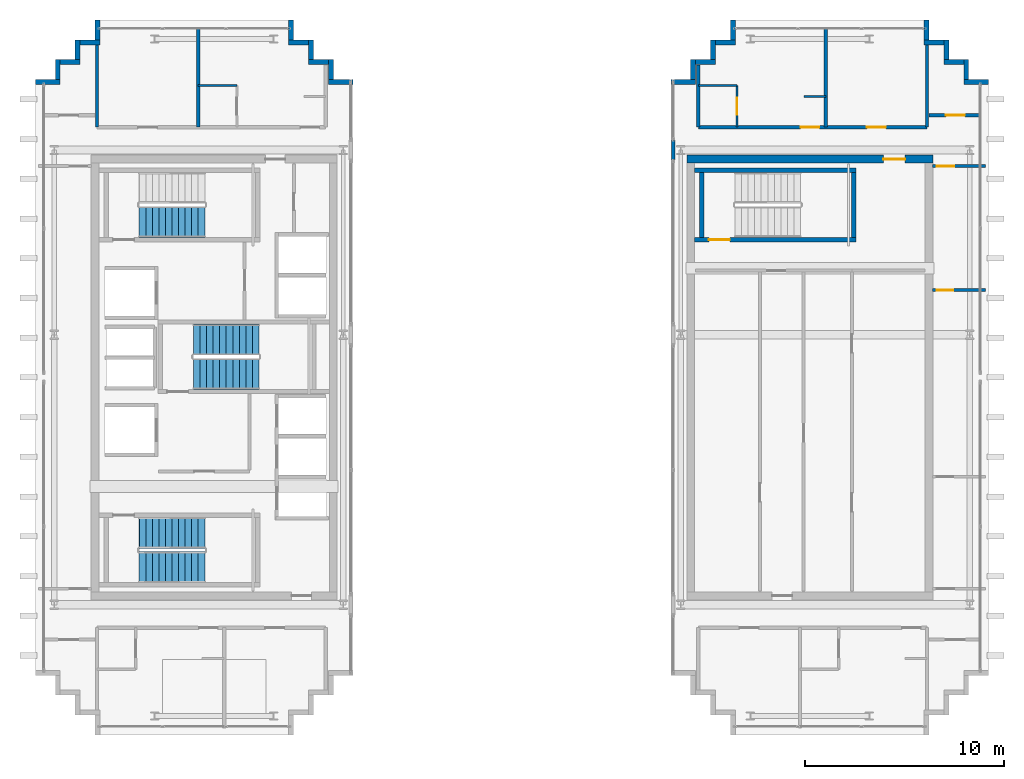
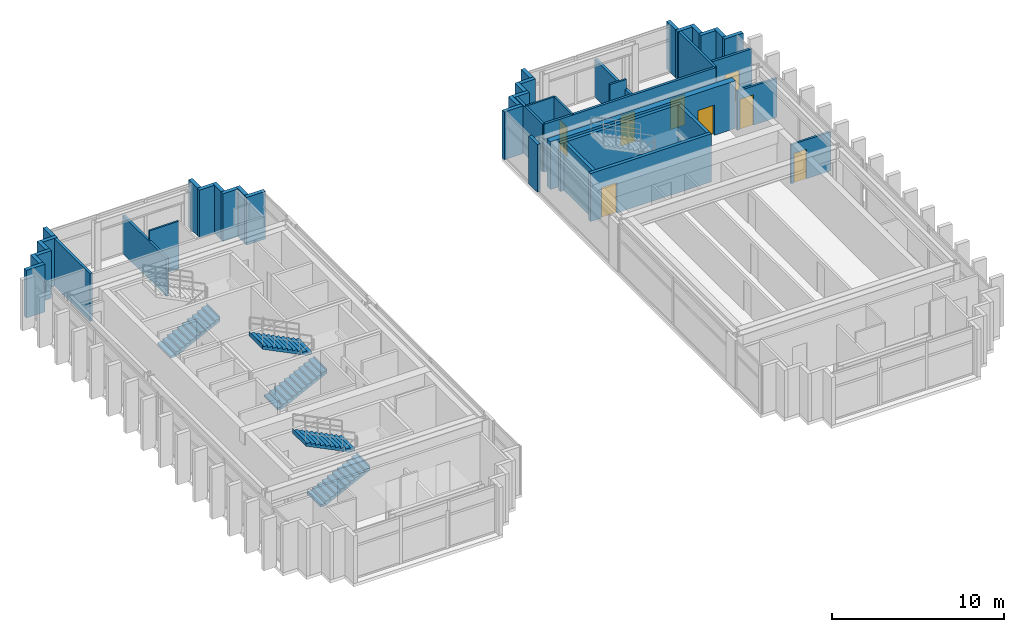
# One storey, part 22 of 25: 43 walls, 8 doors, 5 stair flights, 8 openings, 3 elements without a shape of their own.
"""IFC4 building model written with IfcOpenShell, lengths in metres."""

from ifc_helpers import new_model, si_unit, direction, frame, frame_2d, origin, place, context, subcontext, project, spatial, polyline, rectangle, outline, extrude, source, transform, mapped, material, layer, layer_set, type_object, element, fill, aggregate, save


model = new_model("IFC4")

# Units and contexts
model_context = context("Model", 3, precision=1e-05, world=origin(), true_north=direction((0.0, 1.0)))
body_context = subcontext(model_context, "Body", "Model", "MODEL_VIEW")
ifc_project = project(units=[si_unit("LENGTHUNIT", "METRE"), si_unit("AREAUNIT", "SQUARE_METRE"), si_unit("VOLUMEUNIT", "CUBIC_METRE"), si_unit("PLANEANGLEUNIT", "RADIAN"), si_unit("MASSUNIT", "GRAM", prefix="KILO")], contexts=[model_context])

# Site, building, storey
site_placement = place(None, origin())
site = spatial("IfcSite", under=ifc_project, at=site_placement, CompositionType="ELEMENT")
building_placement = place(site_placement, origin())
building = spatial("IfcBuilding", under=site, at=building_placement, Name="Ocotamira Hotel", CompositionType="ELEMENT")
storey_placement = place(building_placement, frame((0.0, 0.0, 258.0)))
storey = spatial("IfcBuildingStorey", under=building, at=storey_placement, Name="L65", CompositionType="ELEMENT", Elevation=258.0)

# Wall, opening, door
ifc_material_1 = material(Name="Concrete C50/60", Category="concrete")
ifc_layer_1 = layer(ifc_material_1, 0.39990234375)
ifc_layer_set_1 = layer_set([ifc_layer_1], Name="Concrete C50/60")
wall_type_1 = type_object("IfcWallType", Name="WL-CORE-400", PredefinedType="SHEAR", material=ifc_layer_set_1)
wall_1_placement = place(storey_placement, frame((40.800048828125, 37.0, 0.0), z_axis=(0.0, 0.0, 1.0), x_axis=(1.0, 0.0, 0.0)))
wall_1 = element("IfcWall", 1, at=wall_1_placement, inside=storey, type_object=wall_type_1, Name="L65 Shear Core Wall ECORE-N", PredefinedType="SHEAR", context=body_context, shape_type="SweptSolid", body=[
    extrude(rectangle(XDim=12.39990234375, YDim=0.39990234375, at=frame_2d((6.199951171875, 0.0))), origin(), (0.0, 0.0, 1.0), 3.3798828125),
])
opening_1_placement = place(wall_1_placement, frame((9.89990234375, 0.0, 0.0)))
opening_1 = element("IfcOpeningElement", 2, at=opening_1_placement, cuts=wall_1, Name="Opening D-FR1", PredefinedType="OPENING", context=body_context, shape_type="SweptSolid", body=[
    extrude(rectangle(XDim=1.10009765625, YDim=2.14990234375, at=frame_2d((0.550048828125, 1.074951171875))), frame((0.0, 0.2099609375, 0.0), z_axis=(0.0, -1.0, 0.0), x_axis=(1.0, 0.0, 0.0)), (0.0, 0.0, 1.0), 0.419921875),
])
ifc_material_2 = material(Name="Fire-rated acoustic timber-veneer door", Category="wood")
door_type_1 = type_object("IfcDoorType", Name="DR-FIRE-1100", OperationType="NOTDEFINED", PredefinedType="DOOR", material=ifc_material_2)
shared_shape_1 = source(origin(), body_context, "Body", "SweptSolid", [
    extrude(rectangle(XDim=1.10009765625, YDim=2.14990234375, at=frame_2d((0.550048828125, 1.074951171875))), frame((0.0, 0.02490234375, 0.0), z_axis=(0.0, -1.0, 0.0), x_axis=(1.0, 0.0, 0.0)), (0.0, 0.0, 1.0), 0.050048828125),
])
door_1_placement = place(opening_1_placement, origin())
door_1 = element("IfcDoor", 3, at=door_1_placement, inside=storey, type_object=door_type_1, Name="L65 Door ID-L65-ELOB-N-D [ID-L65-ELOB-N-D]", OperationType="SINGLE_SWING_LEFT", OverallHeight=2.14990234375, OverallWidth=1.10009765625, PredefinedType="DOOR", context=body_context, shape_type="MappedRepresentation", body=[
    mapped(shared_shape_1, transform((0.0, 0.0, 0.0), scale=1.0)),
])
fill(opening_1, door_1)

# Walls
ifc_material_3 = material(Name="Precast concrete C45/55", Category="concrete")
ifc_layer_2 = layer(ifc_material_3, 0.25)
ifc_layer_set_2 = layer_set([ifc_layer_2], Name="Precast concrete C45/55")
wall_type_2 = type_object("IfcWallType", Name="WL-EXT-SER-250", PredefinedType="SOLIDWALL", material=ifc_layer_set_2)
wall_2_placement = place(storey_placement, frame((24.0, 40.875, 0.0), z_axis=(0.0, 0.0, 1.0), x_axis=(-1.0, 0.0, 0.0)))
element("IfcWall", 4, at=wall_2_placement, inside=storey, type_object=wall_type_2, Name="L65 -W Serrated Corner Wall 07", PredefinedType="SOLIDWALL", context=body_context, shape_type="SweptSolid", body=[
    extrude(rectangle(XDim=1.25, YDim=0.25, at=frame_2d((0.625, 0.0))), origin(), (0.0, 0.0, 1.0), 3.3798828125),
])
for number, where, z_axis, x_axis, name in (
    (5, (22.875, 41.0, 0.0), (0.0, 0.0, 1.0), (0.0, 1.0, 0.0), "L65 -W Serrated Corner Wall 08"),
    (6, (22.75, 41.875, 0.0), (0.0, 0.0, 1.0), (-1.0, 0.0, 0.0), "L65 -W Serrated Corner Wall 09"),
    (7, (21.875, 42.0, 0.0), (0.0, 0.0, 1.0), (0.0, 1.0, 0.0), "L65 -W Serrated Corner Wall 10"),
    (8, (21.75, 42.875, 0.0), (0.0, 0.0, 1.0), (-1.0, 0.0, 0.0), "L65 -W Serrated Corner Wall 11"),
    (9, (20.875, 43.0, 0.0), (0.0, 0.0, 1.0), (0.0, 1.0, 0.0), "L65 -W Serrated Corner Wall 12"),
    (10, (11.125, 44.0, 0.0), (0.0, 0.0, 1.0), (0.0, -1.0, 0.0), "L65 -W Serrated Corner Wall 13"),
    (11, (11.25, 42.875, 0.0), (0.0, 0.0, 1.0), (-1.0, 0.0, 0.0), "L65 -W Serrated Corner Wall 14"),
    (12, (10.125, 43.0, 0.0), (0.0, 0.0, 1.0), (0.0, -1.0, 0.0), "L65 -W Serrated Corner Wall 15"),
    (13, (10.25, 41.875, 0.0), (0.0, 0.0, 1.0), (-1.0, 0.0, 0.0), "L65 -W Serrated Corner Wall 16"),
    (14, (9.125, 42.0, 0.0), (0.0, 0.0, 1.0), (0.0, -1.0, 0.0), "L65 -W Serrated Corner Wall 17"),
):
    element("IfcWall", number, at=place(storey_placement, frame(where, z_axis=z_axis, x_axis=x_axis)), inside=storey, type_object=wall_type_2, Name=name, PredefinedType="SOLIDWALL", context=body_context, shape_type="SweptSolid", body=[
        extrude(rectangle(XDim=1.0, YDim=0.25, at=frame_2d((0.5, 0.0))), origin(), (0.0, 0.0, 1.0), 3.3798828125),
    ])
for number, where, z_axis, x_axis, name in (
    (15, (9.25, 40.875, 0.0), (0.0, 0.0, 1.0), (-1.0, 0.0, 0.0), "L65 -W Serrated Corner Wall 18"),
    (16, (56.0, 40.875, 0.0), (0.0, 0.0, 1.0), (-1.0, 0.0, 0.0), "L65 -E Serrated Corner Wall 07"),
):
    element("IfcWall", number, at=place(storey_placement, frame(where, z_axis=z_axis, x_axis=x_axis)), inside=storey, type_object=wall_type_2, Name=name, PredefinedType="SOLIDWALL", context=body_context, shape_type="SweptSolid", body=[
        extrude(rectangle(XDim=1.25, YDim=0.25, at=frame_2d((0.625, 0.0))), origin(), (0.0, 0.0, 1.0), 3.3798828125),
    ])
for number, where, z_axis, x_axis, name in (
    (17, (54.875, 41.0, 0.0), (0.0, 0.0, 1.0), (0.0, 1.0, 0.0), "L65 -E Serrated Corner Wall 08"),
    (18, (54.75, 41.875, 0.0), (0.0, 0.0, 1.0), (-1.0, 0.0, 0.0), "L65 -E Serrated Corner Wall 09"),
    (19, (53.875, 42.0, 0.0), (0.0, 0.0, 1.0), (0.0, 1.0, 0.0), "L65 -E Serrated Corner Wall 10"),
    (20, (53.75, 42.875, 0.0), (0.0, 0.0, 1.0), (-1.0, 0.0, 0.0), "L65 -E Serrated Corner Wall 11"),
    (21, (52.875, 43.0, 0.0), (0.0, 0.0, 1.0), (0.0, 1.0, 0.0), "L65 -E Serrated Corner Wall 12"),
    (22, (43.125, 44.0, 0.0), (0.0, 0.0, 1.0), (0.0, -1.0, 0.0), "L65 -E Serrated Corner Wall 13"),
    (23, (43.25, 42.875, 0.0), (0.0, 0.0, 1.0), (-1.0, 0.0, 0.0), "L65 -E Serrated Corner Wall 14"),
    (24, (42.125, 43.0, 0.0), (0.0, 0.0, 1.0), (0.0, -1.0, 0.0), "L65 -E Serrated Corner Wall 15"),
    (25, (42.25, 41.875, 0.0), (0.0, 0.0, 1.0), (-1.0, 0.0, 0.0), "L65 -E Serrated Corner Wall 16"),
    (26, (41.125, 42.0, 0.0), (0.0, 0.0, 1.0), (0.0, -1.0, 0.0), "L65 -E Serrated Corner Wall 17"),
):
    element("IfcWall", number, at=place(storey_placement, frame(where, z_axis=z_axis, x_axis=x_axis)), inside=storey, type_object=wall_type_2, Name=name, PredefinedType="SOLIDWALL", context=body_context, shape_type="SweptSolid", body=[
        extrude(rectangle(XDim=1.0, YDim=0.25, at=frame_2d((0.5, 0.0))), origin(), (0.0, 0.0, 1.0), 3.3798828125),
    ])
wall_3_placement = place(storey_placement, frame((41.25, 40.875, 0.0), z_axis=(0.0, 0.0, 1.0), x_axis=(-1.0, 0.0, 0.0)))
element("IfcWall", 27, at=wall_3_placement, inside=storey, type_object=wall_type_2, Name="L65 -E Serrated Corner Wall 18", PredefinedType="SOLIDWALL", context=body_context, shape_type="SweptSolid", body=[
    extrude(rectangle(XDim=1.25, YDim=0.25, at=frame_2d((0.625, 0.0))), origin(), (0.0, 0.0, 1.0), 3.3798828125),
])

# Wall, openings, doors
ifc_material_4 = material(Name="Acoustic double-layer fire gypsum board partition", Category="gypsum")
ifc_layer_3 = layer(ifc_material_4, 0.159912109375)
ifc_layer_set_3 = layer_set([ifc_layer_3], Name="Acoustic double-layer fire gypsum board partition")
wall_type_3 = type_object("IfcWallType", Name="WL-FIRE-160", PredefinedType="PARTITIONING", material=ifc_layer_set_3)
wall_4_placement = place(storey_placement, frame((41.3798828125, 38.60009765625, 0.0), z_axis=(0.0, 0.0, 1.0), x_axis=(1.0, 0.0, 0.0)))
wall_4 = element("IfcWall", 28, at=wall_4_placement, inside=storey, type_object=wall_type_3, Name="L65 Interior Wall PW-L65-SPE1N-CORRW", PredefinedType="PARTITIONING", context=body_context, shape_type="SweptSolid", body=[
    extrude(rectangle(XDim=11.52001953125, YDim=0.159912109375, at=frame_2d((5.760009765625, 0.0))), origin(), (0.0, 0.0, 1.0), 3.3798828125),
])
opening_2_placement = place(wall_4_placement, frame((5.159912109375, 0.0, 0.0)))
opening_2 = element("IfcOpeningElement", 29, at=opening_2_placement, cuts=wall_4, Name="Opening D-GR1", PredefinedType="OPENING", context=body_context, shape_type="SweptSolid", body=[
    extrude(rectangle(XDim=0.93994140625, YDim=2.14990234375, at=frame_2d((0.469970703125, 1.074951171875))), frame((0.0, 0.08984375, 0.0), z_axis=(0.0, -1.0, 0.0), x_axis=(1.0, 0.0, 0.0)), (0.0, 0.0, 1.0), 0.179931640625),
])
opening_3_placement = place(wall_4_placement, frame((8.489990234375, 0.0, 0.0)))
opening_3 = element("IfcOpeningElement", 30, at=opening_3_placement, cuts=wall_4, Name="Opening D-SV4", PredefinedType="OPENING", context=body_context, shape_type="SweptSolid", body=[
    extrude(rectangle(XDim=0.9599609375, YDim=2.14990234375, at=frame_2d((0.47998046875, 1.074951171875))), frame((0.0, 0.08984375, 0.0), z_axis=(0.0, -1.0, 0.0), x_axis=(1.0, 0.0, 0.0)), (0.0, 0.0, 1.0), 0.179931640625),
])
ifc_material_5 = material(Name="Fire-rated accessible walnut salon door", Category="wood")
door_type_2 = type_object("IfcDoorType", Name="DR-SERV-960", OperationType="NOTDEFINED", PredefinedType="DOOR", material=ifc_material_5)
shared_shape_2 = source(origin(), body_context, "Body", "SweptSolid", [
    extrude(rectangle(XDim=0.9599609375, YDim=2.14990234375, at=frame_2d((0.47998046875, 1.074951171875))), frame((0.0, 0.02490234375, 0.0), z_axis=(0.0, -1.0, 0.0), x_axis=(1.0, 0.0, 0.0)), (0.0, 0.0, 1.0), 0.050048828125),
])
door_2_placement = place(opening_3_placement, origin())
door_2 = element("IfcDoor", 31, at=door_2_placement, inside=storey, type_object=door_type_2, Name="L65 Door ID-L65-SPE1N-AMD2 [ID-L65-SPE1N-AMD2]", OperationType="SINGLE_SWING_RIGHT", OverallHeight=2.14990234375, OverallWidth=0.9599609375, PredefinedType="DOOR", context=body_context, shape_type="MappedRepresentation", body=[
    mapped(shared_shape_2, transform((0.0, 0.0, 0.0), scale=1.0)),
])
fill(opening_3, door_2)
ifc_material_6 = material(Name="Solid-core walnut suite entrance fire door", Category="wood")
door_type_3 = type_object("IfcDoorType", Name="DR-GUEST-940", OperationType="NOTDEFINED", PredefinedType="DOOR", material=ifc_material_6)
shared_shape_3 = source(origin(), body_context, "Body", "SweptSolid", [
    extrude(rectangle(XDim=0.93994140625, YDim=2.14990234375, at=frame_2d((0.469970703125, 1.074951171875))), frame((0.0, 0.02490234375, 0.0), z_axis=(0.0, -1.0, 0.0), x_axis=(1.0, 0.0, 0.0)), (0.0, 0.0, 1.0), 0.050048828125),
])
door_3_placement = place(opening_2_placement, origin())
door_3 = element("IfcDoor", 32, at=door_3_placement, inside=storey, type_object=door_type_3, Name="L65 Door ID-L65-SPE1N-RMD1 [ID-L65-SPE1N-RMD1]", OperationType="SINGLE_SWING_LEFT", OverallHeight=2.14990234375, OverallWidth=0.93994140625, PredefinedType="DOOR", context=body_context, shape_type="MappedRepresentation", body=[
    mapped(shared_shape_3, transform((0.0, 0.0, 0.0), scale=1.0)),
])
fill(opening_2, door_3)

# Wall, opening, door
wall_5_placement = place(storey_placement, frame((53.0, 39.199951171875, 0.0), z_axis=(0.0, 0.0, 1.0), x_axis=(1.0, 0.0, 0.0)))
wall_5 = element("IfcWall", 33, at=wall_5_placement, inside=storey, type_object=wall_type_3, Name="L65 Interior Wall PW-L65-SPCNE1-CW", PredefinedType="PARTITIONING", context=body_context, shape_type="SweptSolid", body=[
    extrude(rectangle(XDim=2.64990234375, YDim=0.159912109375, at=frame_2d((1.324951171875, 0.0))), origin(), (0.0, 0.0, 1.0), 3.3798828125),
])
opening_4_placement = place(wall_5_placement, frame((0.844970703125, 0.0, 0.0)))
opening_4 = element("IfcOpeningElement", 34, at=opening_4_placement, cuts=wall_5, Name="Opening D-SV4", PredefinedType="OPENING", context=body_context, shape_type="SweptSolid", body=[
    extrude(rectangle(XDim=0.9599609375, YDim=2.14990234375, at=frame_2d((0.47998046875, 1.074951171875))), frame((0.0, 0.08984375, 0.0), z_axis=(0.0, -1.0, 0.0), x_axis=(1.0, 0.0, 0.0)), (0.0, 0.0, 1.0), 0.179931640625),
])
door_4_placement = place(opening_4_placement, origin())
door_4 = element("IfcDoor", 35, at=door_4_placement, inside=storey, type_object=door_type_2, Name="L65 Door ID-L65-SPCNE1-CD [ID-L65-SPCNE1-CD]", OperationType="SINGLE_SWING_LEFT", OverallHeight=2.14990234375, OverallWidth=0.9599609375, PredefinedType="DOOR", context=body_context, shape_type="MappedRepresentation", body=[
    mapped(shared_shape_2, transform((0.0, 0.0, 0.0), scale=1.0)),
])
fill(opening_4, door_4)

# Walls
ifc_layer_4 = layer(ifc_material_3, 0.219970703125)
ifc_layer_set_4 = layer_set([ifc_layer_4], Name="Precast concrete C45/55")
wall_type_4 = type_object("IfcWallType", Name="WL-PARA-220", PredefinedType="PARAPET", material=ifc_layer_set_4)
wall_6_placement = place(storey_placement, frame((40.1201171875, 36.949951171875, 0.0), z_axis=(0.0, 0.0, 1.0), x_axis=(0.0, 1.0, 0.0)))
element("IfcWall", 36, at=wall_6_placement, inside=storey, type_object=wall_type_4, Name="L65 Split-Wing Column Spandrel Closure E3", PredefinedType="PARAPET", context=body_context, shape_type="SweptSolid", body=[
    extrude(rectangle(XDim=1.0, YDim=0.199951171875, at=frame_2d((0.5, 0.0))), origin(), (0.0, 0.0, 1.0), 3.3798828125),
])
ifc_material_7 = material(Name="Moisture-resistant en-suite tile and gypsum partition", Category="gypsum")
ifc_layer_5 = layer(ifc_material_7, 0.1201171875)
ifc_layer_set_5 = layer_set([ifc_layer_5], Name="Moisture-resistant en-suite tile and gypsum partition")
wall_type_5 = type_object("IfcWallType", Name="WL-PART-120", PredefinedType="PARTITIONING", material=ifc_layer_set_5)
wall_7_placement = place(storey_placement, frame((16.199951171875, 40.699951171875, 0.0), z_axis=(0.0, 0.0, 1.0), x_axis=(1.0, 0.0, 0.0)))
element("IfcWall", 37, at=wall_7_placement, inside=storey, type_object=wall_type_5, Name="L65 Interior Wall PW-L65-SPW1N-BAN2", PredefinedType="PARTITIONING", context=body_context, shape_type="SweptSolid", body=[
    extrude(rectangle(XDim=1.949951171875, YDim=0.1201171875, at=frame_2d((0.97509765625, 0.0))), origin(), (0.0, 0.0, 1.0), 3.3798828125),
])

# Wall, opening, door
wall_8_placement = place(storey_placement, frame((43.330078125, 38.60009765625, 0.0), z_axis=(0.0, 0.0, 1.0), x_axis=(0.0, 1.0, 0.0)))
wall_8 = element("IfcWall", 38, at=wall_8_placement, inside=storey, type_object=wall_type_5, Name="L65 Interior Wall PW-L65-SPE1N-BAE1", PredefinedType="PARTITIONING", context=body_context, shape_type="SweptSolid", body=[
    extrude(rectangle(XDim=2.099853515625, YDim=0.1201171875, at=frame_2d((1.0498046875, 0.0))), origin(), (0.0, 0.0, 1.0), 3.3798828125),
])
opening_5_placement = place(wall_8_placement, frame((0.6201171875, 0.0, 0.0)))
opening_5 = element("IfcOpeningElement", 39, at=opening_5_placement, cuts=wall_8, Name="Opening D-BA1", PredefinedType="OPENING", context=body_context, shape_type="SweptSolid", body=[
    extrude(rectangle(XDim=0.860107421875, YDim=2.10009765625, at=frame_2d((0.43017578125, 1.050048828125))), frame((0.0, 0.070068359375, 0.0), z_axis=(0.0, -1.0, 0.0), x_axis=(1.0, 0.0, 0.0)), (0.0, 0.0, 1.0), 0.14013671875),
])
ifc_material_8 = material(Name="Moisture-sealed en-suite timber door", Category="wood")
door_type_4 = type_object("IfcDoorType", Name="DR-BATH-860", OperationType="NOTDEFINED", PredefinedType="DOOR", material=ifc_material_8)
shared_shape_4 = source(origin(), body_context, "Body", "SweptSolid", [
    extrude(rectangle(XDim=0.860107421875, YDim=2.10009765625, at=frame_2d((0.43017578125, 1.050048828125))), frame((0.0, 0.02490234375, 0.0), z_axis=(0.0, -1.0, 0.0), x_axis=(1.0, 0.0, 0.0)), (0.0, 0.0, 1.0), 0.050048828125),
])
door_5_placement = place(opening_5_placement, origin())
door_5 = element("IfcDoor", 40, at=door_5_placement, inside=storey, type_object=door_type_4, Name="L65 Door ID-L65-SPE1N-BAD1 [ID-L65-SPE1N-BAD1]", OperationType="SINGLE_SWING_RIGHT", OverallHeight=2.10009765625, OverallWidth=0.860107421875, PredefinedType="DOOR", context=body_context, shape_type="MappedRepresentation", body=[
    mapped(shared_shape_4, transform((0.0, 0.0, 0.0), scale=1.0)),
])
fill(opening_5, door_5)

# Walls
wall_9_placement = place(storey_placement, frame((41.3798828125, 40.699951171875, 0.0), z_axis=(0.0, 0.0, 1.0), x_axis=(1.0, 0.0, 0.0)))
element("IfcWall", 41, at=wall_9_placement, inside=storey, type_object=wall_type_5, Name="L65 Interior Wall PW-L65-SPE1N-BAN1", PredefinedType="PARTITIONING", context=body_context, shape_type="SweptSolid", body=[
    extrude(rectangle(XDim=1.9501953125, YDim=0.1201171875, at=frame_2d((0.97509765625, 0.0))), origin(), (0.0, 0.0, 1.0), 3.3798828125),
])
wall_10_placement = place(storey_placement, frame((46.699951171875, 40.14990234375, 0.0), z_axis=(0.0, 0.0, 1.0), x_axis=(1.0, 0.0, 0.0)))
element("IfcWall", 42, at=wall_10_placement, inside=storey, type_object=wall_type_5, Name="L65 Interior Wall PW-L65-SPE1N-DRN1", PredefinedType="PARTITIONING", context=body_context, shape_type="SweptSolid", body=[
    extrude(rectangle(XDim=1.10009765625, YDim=0.1201171875, at=frame_2d((0.550048828125, 0.0))), origin(), (0.0, 0.0, 1.0), 3.3798828125),
])

# Wall, opening, door
ifc_material_9 = material(Name="Acoustic hospitality gypsum board partition", Category="gypsum")
ifc_layer_6 = layer(ifc_material_9, 0.14208984375)
ifc_layer_set_6 = layer_set([ifc_layer_6], Name="Acoustic hospitality gypsum board partition")
wall_type_6 = type_object("IfcWallType", Name="WL-PART-142", PredefinedType="PARTITIONING", material=ifc_layer_set_6)
wall_11_placement = place(storey_placement, frame((53.179931640625, 30.39990234375, 0.0), z_axis=(0.0, 0.0, 1.0), x_axis=(1.0, 0.0, 0.0)))
wall_11 = element("IfcWall", 43, at=wall_11_placement, inside=storey, type_object=wall_type_6, Name="L65 Interior Wall PW-L65-SP1E-DV2", PredefinedType="PARTITIONING", context=body_context, shape_type="SweptSolid", body=[
    extrude(rectangle(XDim=2.66015625, YDim=0.14208984375, at=frame_2d((1.330078125, 0.0))), origin(), (0.0, 0.0, 1.0), 2.762939453125),
])
opening_6_placement = place(wall_11_placement, frame((0.199951171875, 0.0, 0.0)))
opening_6 = element("IfcOpeningElement", 44, at=opening_6_placement, cuts=wall_11, Name="Opening D-SV1", PredefinedType="OPENING", context=body_context, shape_type="SweptSolid", body=[
    extrude(rectangle(XDim=0.840087890625, YDim=2.10009765625, at=frame_2d((0.419921875, 1.050048828125))), frame((0.0, 0.0810546875, 0.0), z_axis=(0.0, -1.0, 0.0), x_axis=(1.0, 0.0, 0.0)), (0.0, 0.0, 1.0), 0.162109375),
])
ifc_material_10 = material(Name="Fire-rated painted steel service door", Category="steel")
door_type_5 = type_object("IfcDoorType", Name="DR-SERV-840", OperationType="NOTDEFINED", PredefinedType="DOOR", material=ifc_material_10)
shared_shape_5 = source(origin(), body_context, "Body", "SweptSolid", [
    extrude(rectangle(XDim=0.840087890625, YDim=2.10009765625, at=frame_2d((0.419921875, 1.050048828125))), frame((0.0, 0.02490234375, 0.0), z_axis=(0.0, -1.0, 0.0), x_axis=(1.0, 0.0, 0.0)), (0.0, 0.0, 1.0), 0.050048828125),
])
door_6_placement = place(opening_6_placement, origin())
door_6 = element("IfcDoor", 45, at=door_6_placement, inside=storey, type_object=door_type_5, Name="L65 Door ID-L65-SP1E-DV2D [ID-L65-SP1E-DV2D]", OperationType="SINGLE_SWING_RIGHT", OverallHeight=2.10009765625, OverallWidth=0.840087890625, PredefinedType="DOOR", context=body_context, shape_type="MappedRepresentation", body=[
    mapped(shared_shape_5, transform((0.0, 0.0, 0.0), scale=1.0)),
])
fill(opening_6, door_6)

ifc_layer_7 = layer(ifc_material_9, 0.14990234375)
ifc_layer_set_7 = layer_set([ifc_layer_7], Name="Acoustic hospitality gypsum board partition")
wall_type_7 = type_object("IfcWallType", Name="WL-PART-150", PredefinedType="PARTITIONING", material=ifc_layer_set_7)
wall_12_placement = place(storey_placement, frame((53.179931640625, 36.639892578125, 0.0), z_axis=(0.0, 0.0, 1.0), x_axis=(1.0, 0.0, 0.0)))
wall_12 = element("IfcWall", 46, at=wall_12_placement, inside=storey, type_object=wall_type_7, Name="L65 Interior Wall PW-L65-SP1E-WN", PredefinedType="PARTITIONING", context=body_context, shape_type="SweptSolid", body=[
    extrude(rectangle(XDim=2.66015625, YDim=0.14990234375, at=frame_2d((1.330078125, 0.0))), origin(), (0.0, 0.0, 1.0), 2.762939453125),
])
opening_7_placement = place(wall_12_placement, frame((0.199951171875, 0.0, 0.0)))
opening_7 = element("IfcOpeningElement", 47, at=opening_7_placement, cuts=wall_12, Name="Opening D-SV2", PredefinedType="OPENING", context=body_context, shape_type="SweptSolid", body=[
    extrude(rectangle(XDim=0.8798828125, YDim=2.14990234375, at=frame_2d((0.43994140625, 1.074951171875))), frame((0.0, 0.0849609375, 0.0), z_axis=(0.0, -1.0, 0.0), x_axis=(1.0, 0.0, 0.0)), (0.0, 0.0, 1.0), 0.169921875),
])
door_type_6 = type_object("IfcDoorType", Name="DR-SERV-880", OperationType="NOTDEFINED", PredefinedType="DOOR", material=ifc_material_10)
shared_shape_6 = source(origin(), body_context, "Body", "SweptSolid", [
    extrude(rectangle(XDim=0.8798828125, YDim=2.14990234375, at=frame_2d((0.43994140625, 1.074951171875))), frame((0.0, 0.02490234375, 0.0), z_axis=(0.0, -1.0, 0.0), x_axis=(1.0, 0.0, 0.0)), (0.0, 0.0, 1.0), 0.050048828125),
])
door_7_placement = place(opening_7_placement, origin())
door_7 = element("IfcDoor", 48, at=door_7_placement, inside=storey, type_object=door_type_6, Name="L65 Door ID-L65-SP1E-DN [ID-L65-SP1E-DN]", OperationType="SINGLE_SWING_LEFT", OverallHeight=2.14990234375, OverallWidth=0.8798828125, PredefinedType="DOOR", context=body_context, shape_type="MappedRepresentation", body=[
    mapped(shared_shape_6, transform((0.0, 0.0, 0.0), scale=1.0)),
])
fill(opening_7, door_7)

# Walls
ifc_material_11 = material(Name="Acoustic double-stud hospitality gypsum partition", Category="gypsum")
ifc_layer_8 = layer(ifc_material_11, 0.159912109375)
ifc_layer_set_8 = layer_set([ifc_layer_8], Name="Acoustic double-stud hospitality gypsum partition")
wall_type_8 = type_object("IfcWallType", Name="WL-PART-160", PredefinedType="PARTITIONING", material=ifc_layer_set_8)
wall_13_placement = place(storey_placement, frame((11.10009765625, 38.60009765625, 0.0), z_axis=(0.0, 0.0, 1.0), x_axis=(0.0, 1.0, 0.0)))
element("IfcWall", 49, at=wall_13_placement, inside=storey, type_object=wall_type_8, Name="L65 Interior Wall PW-L65-SPW1N-PW0", PredefinedType="PARTITIONING", context=body_context, shape_type="SweptSolid", body=[
    extrude(rectangle(XDim=4.139892578125, YDim=0.159912109375, at=frame_2d((2.06982421875, 0.0))), origin(), (0.0, 0.0, 1.0), 3.3798828125),
])
wall_14_placement = place(storey_placement, frame((16.199951171875, 38.60009765625, 0.0), z_axis=(0.0, 0.0, 1.0), x_axis=(0.0, 1.0, 0.0)))
element("IfcWall", 50, at=wall_14_placement, inside=storey, type_object=wall_type_8, Name="L65 Interior Wall PW-L65-SPW1N-PW1", PredefinedType="PARTITIONING", context=body_context, shape_type="SweptSolid", body=[
    extrude(rectangle(XDim=5.039794921875, YDim=0.159912109375, at=frame_2d((2.52001953125, 0.0))), origin(), (0.0, 0.0, 1.0), 2.68701171875),
])
wall_15_placement = place(storey_placement, frame((41.3798828125, 38.60009765625, 0.0), z_axis=(0.0, 0.0, 1.0), x_axis=(0.0, 1.0, 0.0)))
element("IfcWall", 51, at=wall_15_placement, inside=storey, type_object=wall_type_8, Name="L65 Interior Wall PW-L65-SPE1N-PW0", PredefinedType="PARTITIONING", context=body_context, shape_type="SweptSolid", body=[
    extrude(rectangle(XDim=3.139892578125, YDim=0.159912109375, at=frame_2d((1.56982421875, 0.0))), origin(), (0.0, 0.0, 1.0), 3.3798828125),
])
wall_16_placement = place(storey_placement, frame((52.89990234375, 38.60009765625, 0.0), z_axis=(0.0, 0.0, 1.0), x_axis=(0.0, 1.0, 0.0)))
element("IfcWall", 52, at=wall_16_placement, inside=storey, type_object=wall_type_8, Name="L65 Interior Wall PW-L65-SPE1N-PWEND", PredefinedType="PARTITIONING", context=body_context, shape_type="SweptSolid", body=[
    extrude(rectangle(XDim=4.139892578125, YDim=0.159912109375, at=frame_2d((2.06982421875, 0.0))), origin(), (0.0, 0.0, 1.0), 3.3798828125),
])
ifc_material_12 = material(Name="Double-stud suite party gypsum partition", Category="gypsum")
ifc_layer_9 = layer(ifc_material_12, 0.175048828125)
ifc_layer_set_9 = layer_set([ifc_layer_9], Name="Double-stud suite party gypsum partition")
wall_type_9 = type_object("IfcWallType", Name="WL-PART-175", PredefinedType="PARTITIONING", material=ifc_layer_set_9)
wall_17_placement = place(storey_placement, frame((47.800048828125, 38.60009765625, 0.0), z_axis=(0.0, 0.0, 1.0), x_axis=(0.0, 1.0, 0.0)))
element("IfcWall", 53, at=wall_17_placement, inside=storey, type_object=wall_type_9, Name="L65 Interior Wall PW-L65-SPE1N-PW1", PredefinedType="PARTITIONING", context=body_context, shape_type="SweptSolid", body=[
    extrude(rectangle(XDim=5.039794921875, YDim=0.175048828125, at=frame_2d((2.52001953125, 0.0))), origin(), (0.0, 0.0, 1.0), 2.68701171875),
])

# Wall, opening, door
ifc_layer_10 = layer(ifc_material_1, 0.219970703125)
ifc_layer_set_10 = layer_set([ifc_layer_10], Name="Concrete C50/60")
wall_type_10 = type_object("IfcWallType", Name="WL-STAIR-220", PredefinedType="SHEAR", material=ifc_layer_set_10)
wall_18_placement = place(storey_placement, frame((41.199951171875, 32.93994140625, 0.0), z_axis=(0.0, 0.0, 1.0), x_axis=(1.0, 0.0, 0.0)))
wall_18 = element("IfcWall", 54, at=wall_18_placement, inside=storey, type_object=wall_type_10, Name="L65 Stair Shaft Structural Wall ST-4-S", PredefinedType="SHEAR", context=body_context, shape_type="SweptSolid", body=[
    extrude(rectangle(XDim=8.110107421875, YDim=0.219970703125, at=frame_2d((4.05517578125, 0.0))), origin(), (0.0, 0.0, 1.0), 3.39990234375),
])
opening_8_placement = place(wall_18_placement, frame((0.719970703125, 0.0, 0.0)))
opening_8 = element("IfcOpeningElement", 55, at=opening_8_placement, cuts=wall_18, Name="Opening D-ST2", PredefinedType="OPENING", context=body_context, shape_type="SweptSolid", body=[
    extrude(rectangle(XDim=1.050048828125, YDim=2.14990234375, at=frame_2d((0.52490234375, 1.074951171875))), frame((0.0, 0.1201171875, 0.0), z_axis=(0.0, -1.0, 0.0), x_axis=(1.0, 0.0, 0.0)), (0.0, 0.0, 1.0), 0.239990234375),
])
ifc_material_13 = material(Name="Insulated painted hollow-metal fire exit door", Category="steel")
door_type_7 = type_object("IfcDoorType", Name="DR-STAIR-1050", OperationType="NOTDEFINED", PredefinedType="DOOR", material=ifc_material_13)
shared_shape_7 = source(origin(), body_context, "Body", "SweptSolid", [
    extrude(rectangle(XDim=1.050048828125, YDim=2.14990234375, at=frame_2d((0.52490234375, 1.074951171875))), frame((0.0, 0.02490234375, 0.0), z_axis=(0.0, -1.0, 0.0), x_axis=(1.0, 0.0, 0.0)), (0.0, 0.0, 1.0), 0.050048828125),
])
door_8_placement = place(opening_8_placement, origin())
door_8 = element("IfcDoor", 56, at=door_8_placement, inside=storey, type_object=door_type_7, Name="L65 Door ID-L65-STD-ST-4 [ID-L65-STD-ST-4]", OperationType="SINGLE_SWING_LEFT", OverallHeight=2.14990234375, OverallWidth=1.050048828125, PredefinedType="DOOR", context=body_context, shape_type="MappedRepresentation", body=[
    mapped(shared_shape_7, transform((0.0, 0.0, 0.0), scale=1.0)),
])
fill(opening_8, door_8)

# Walls
wall_19_placement = place(storey_placement, frame((41.199951171875, 36.43994140625, 0.0), z_axis=(0.0, 0.0, 1.0), x_axis=(1.0, 0.0, 0.0)))
element("IfcWall", 57, at=wall_19_placement, inside=storey, type_object=wall_type_10, Name="L65 Stair Shaft Structural Wall ST-4-N", PredefinedType="SHEAR", context=body_context, shape_type="SweptSolid", body=[
    extrude(rectangle(XDim=8.110107421875, YDim=0.219970703125, at=frame_2d((4.05517578125, 0.0))), origin(), (0.0, 0.0, 1.0), 3.39990234375),
])
for number, where, z_axis, x_axis, name in (
    (58, (41.56005859375, 33.050048828125, 0.0), (0.0, 0.0, 1.0), (0.0, 1.0, 0.0), "L65 Stair Shaft Structural Wall ST-4-W"),
    (59, (49.199951171875, 33.050048828125, 0.0), (0.0, 0.0, 1.0), (0.0, 1.0, 0.0), "L65 Stair Shaft Structural Wall ST-4-E"),
):
    element("IfcWall", number, at=place(storey_placement, frame(where, z_axis=z_axis, x_axis=x_axis)), inside=storey, type_object=wall_type_10, Name=name, PredefinedType="SHEAR", context=body_context, shape_type="SweptSolid", body=[
        extrude(rectangle(XDim=3.280029296875, YDim=0.219970703125, at=frame_2d((1.64013671875, 0.0))), origin(), (0.0, 0.0, 1.0), 3.39990234375),
    ])

# Stair, stair flights
ifc_material_14 = material(Name="Concrete C40/50", Category="concrete")
stair_type = type_object("IfcStairType", Name="ST-CORE-1560", PredefinedType="HALF_TURN_STAIR", material=ifc_material_14)
stair_1_placement = place(storey_placement, origin())
stair_1 = element("IfcStair", 60, at=stair_1_placement, inside=storey, type_object=stair_type, Name="L65 Exit Stair ST-1", PredefinedType="HALF_TURN_STAIR")
stair_flight_type = type_object("IfcStairFlightType", Name="STF-CORE-1560", PredefinedType="STRAIGHT", material=ifc_material_14)
shared_shape_8 = source(origin(), body_context, "Body", "SweptSolid", [
    extrude(outline(polyline([(-0.00390625, 0.0), (-0.00390625, 0.16357421875), (0.330078125, 0.16357421875), (0.330078125, 0.327392578125), (0.659912109375, 0.327392578125), (0.659912109375, 0.490966796875), (0.989990234375, 0.490966796875), (0.989990234375, 0.654541015625), (1.320068359375, 0.654541015625), (1.320068359375, 0.818115234375), (1.64990234375, 0.818115234375), (1.64990234375, 0.98193359375), (1.97998046875, 0.98193359375), (1.97998046875, 1.1455078125), (2.31005859375, 1.1455078125), (2.31005859375, 1.30908203125), (2.639892578125, 1.30908203125), (2.639892578125, 1.47265625), (2.969970703125, 1.47265625), (2.969970703125, 1.636474609375), (3.300048828125, 1.636474609375), (3.300048828125, 1.800048828125), (3.303955078125, 1.800048828125), (3.303955078125, 1.468994140625), (0.33740234375, 0.0), (-0.00390625, 0.0)])), frame((0.0, 0.780029296875, 0.0), z_axis=(0.0, -1.0, 0.0), x_axis=(1.0, 0.0, 0.0)), (0.0, 0.0, 1.0), 1.56005859375),
])
stair_flight_1_placement = place(storey_placement, frame((13.22998046875, 16.449951171875, 0.0), z_axis=(0.0, 0.0, 1.0), x_axis=(1.0, 0.0, 0.0)))
stair_flight_1 = element("IfcStairFlight", 61, at=stair_flight_1_placement, type_object=stair_flight_type, Name="ST-1 flight 1", NumberOfRisers=11, NumberOfTreads=10, PredefinedType="STRAIGHT", RiserHeight=0.163636364, TreadLength=0.33, context=body_context, shape_type="MappedRepresentation", body=[
    mapped(shared_shape_8, transform((0.0, 0.0, 0.0), scale=1.0)),
])
stair_flight_2_placement = place(storey_placement, frame((16.530029296875, 18.169921875, 1.800048828125), z_axis=(0.0, 0.0, 1.0), x_axis=(-1.0, 0.0, 0.0)))
stair_flight_2 = element("IfcStairFlight", 62, at=stair_flight_2_placement, type_object=stair_flight_type, Name="ST-1 flight 2", NumberOfRisers=11, NumberOfTreads=10, PredefinedType="STRAIGHT", RiserHeight=0.163636364, TreadLength=0.33, context=body_context, shape_type="MappedRepresentation", body=[
    mapped(shared_shape_8, transform((0.0, 0.0, 0.0), scale=1.0)),
])
aggregate(stair_1, [stair_flight_1, stair_flight_2])

# Stair, stair flight
stair_2_placement = place(storey_placement, origin())
stair_2 = element("IfcStair", 63, at=stair_2_placement, inside=storey, type_object=stair_type, Name="L65 Exit Stair ST-2", PredefinedType="HALF_TURN_STAIR")
stair_flight_3_placement = place(storey_placement, frame((13.22998046875, 33.830078125, 0.0), z_axis=(0.0, 0.0, 1.0), x_axis=(1.0, 0.0, 0.0)))
stair_flight_3 = element("IfcStairFlight", 64, at=stair_flight_3_placement, type_object=stair_flight_type, Name="ST-2 flight 1", NumberOfRisers=11, NumberOfTreads=10, PredefinedType="STRAIGHT", RiserHeight=0.163636364, TreadLength=0.33, context=body_context, shape_type="MappedRepresentation", body=[
    mapped(shared_shape_8, transform((0.0, 0.0, 0.0), scale=1.0)),
])
aggregate(stair_2, [stair_flight_3])

# Stair, stair flights
stair_3_placement = place(storey_placement, origin())
stair_3 = element("IfcStair", 65, at=stair_3_placement, inside=storey, type_object=stair_type, Name="L65 Exit Stair ST-3", PredefinedType="HALF_TURN_STAIR")
stair_flight_4_placement = place(storey_placement, frame((15.9599609375, 26.179931640625, 0.0), z_axis=(0.0, 0.0, 1.0), x_axis=(1.0, 0.0, 0.0)))
stair_flight_4 = element("IfcStairFlight", 66, at=stair_flight_4_placement, type_object=stair_flight_type, Name="ST-3 flight 1", NumberOfRisers=11, NumberOfTreads=10, PredefinedType="STRAIGHT", RiserHeight=0.163636364, TreadLength=0.33, context=body_context, shape_type="MappedRepresentation", body=[
    mapped(shared_shape_8, transform((0.0, 0.0, 0.0), scale=1.0)),
])
stair_flight_5_placement = place(storey_placement, frame((19.260009765625, 27.89990234375, 1.800048828125), z_axis=(0.0, 0.0, 1.0), x_axis=(-1.0, 0.0, 0.0)))
stair_flight_5 = element("IfcStairFlight", 67, at=stair_flight_5_placement, type_object=stair_flight_type, Name="ST-3 flight 2", NumberOfRisers=11, NumberOfTreads=10, PredefinedType="STRAIGHT", RiserHeight=0.163636364, TreadLength=0.33, context=body_context, shape_type="MappedRepresentation", body=[
    mapped(shared_shape_8, transform((0.0, 0.0, 0.0), scale=1.0)),
])
aggregate(stair_3, [stair_flight_4, stair_flight_5])

save(model, "model.ifc")
